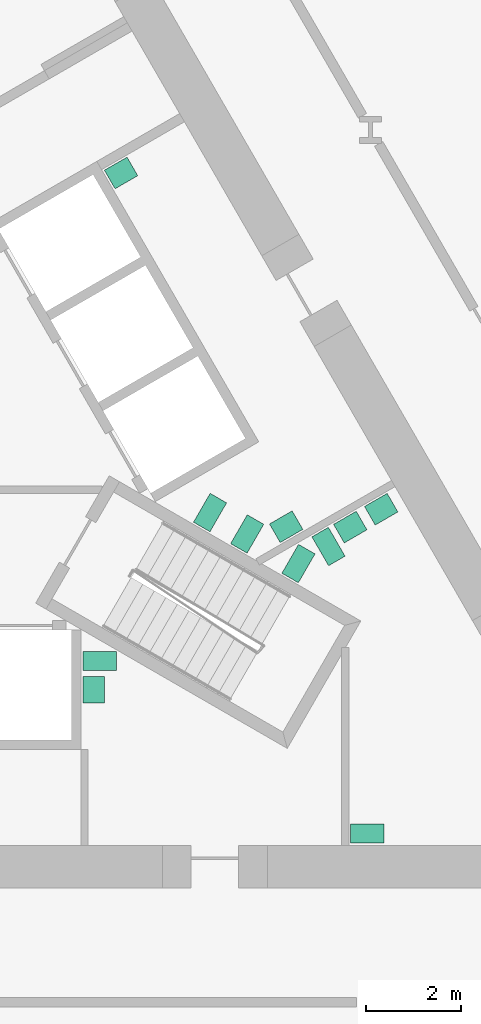
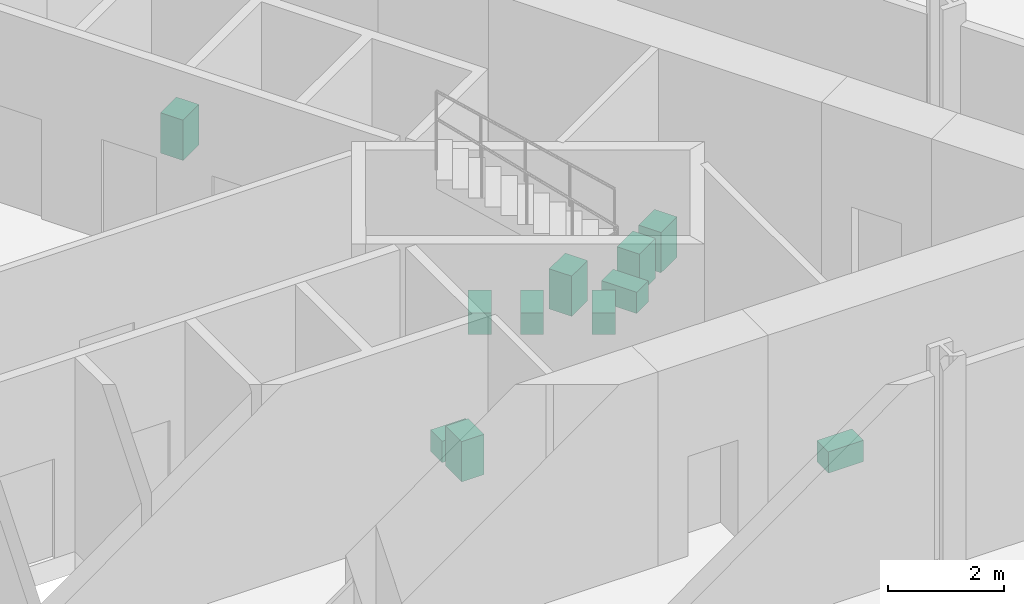
# One storey, part 7 of 8: 11 sanitary terminals.
"""IFC4 building model written with IfcOpenShell, lengths in metres."""

import ifcopenshell
import ifcopenshell.guid

model = None  # the IFC model being written
_history = None  # IfcOwnerHistory: only IFC2X3 demands one
_inside = {}  # id of a spatial element -> (the spatial element, [elements in it])
_under = {}  # id of a project, library or spatial element -> (it, [spatial elements below it])
_declared = {}  # id of a project -> (the project, [libraries it declares])
_typed = {}  # id of a type object -> (the type object, [elements of that type])
_made_of = {}  # id of a material, layer set ... -> (it, [elements and type objects made of it])


def new_model(schema):
    """Start an empty IFC model of exactly this schema.

    Asked for "IFC4X3", IfcOpenShell would pick the latest addendum, in which some entities
    have other attributes; the version numbers below select the first issue.
    IFC2X3 requires an IfcOwnerHistory on every rooted entity: one is made here for all.
    """
    global model, _history
    if schema == "IFC4X3":
        model = ifcopenshell.file(schema_version=(4, 3, 0, 0))
    else:
        model = ifcopenshell.file(schema=schema)
    _inside.clear()
    _under.clear()
    _declared.clear()
    _typed.clear()
    _made_of.clear()
    _history = None
    if model.schema == "IFC2X3":
        org = make("IfcOrganization", Name="unknown")
        user = make(
            "IfcPersonAndOrganization",
            ThePerson=make("IfcPerson", FamilyName="unknown"),
            TheOrganization=org,
        )
        app = make(
            "IfcApplication",
            ApplicationDeveloper=org,
            Version="unknown",
            ApplicationFullName="unknown",
            ApplicationIdentifier="unknown",
        )
        _history = make(
            "IfcOwnerHistory",
            OwningUser=user,
            OwningApplication=app,
            ChangeAction="ADDED",
            CreationDate=0,
        )
    return model


def make(cls, **values):
    """One entity of the class cls with the attributes given. An attribute that is None is left unset."""
    return model.create_entity(
        cls, **{name: value for name, value in values.items() if value is not None}
    )


def rooted(cls, **values):
    """An entity with a GlobalId (a new one), such as an element, a storey or a relation."""
    return make(cls, GlobalId=ifcopenshell.guid.new(), OwnerHistory=_history, **values)


def si_unit(unit_type, name, prefix=None):
    """IfcSIUnit, for example si_unit("LENGTHUNIT", "METRE", prefix="MILLI")."""
    return make("IfcSIUnit", UnitType=unit_type, Prefix=prefix, Name=name)


def assignment(units):
    """IfcUnitAssignment: the units of a project."""
    return None if units is None else make("IfcUnitAssignment", Units=units)


def point(xyz):
    """IfcCartesianPoint."""
    return None if xyz is None else make("IfcCartesianPoint", Coordinates=xyz)


def direction(xyz):
    """IfcDirection."""
    return None if xyz is None else make("IfcDirection", DirectionRatios=xyz)


def frame(location, z_axis=None, x_axis=None):
    """IfcAxis2Placement3D, a coordinate frame: its origin and axes. An axis left out is left unset."""
    return make(
        "IfcAxis2Placement3D",
        Location=point(location),
        Axis=direction(z_axis),
        RefDirection=direction(x_axis),
    )


def frame_2d(location, x_axis=None):
    """IfcAxis2Placement2D, a coordinate frame in the plane: its origin and x axis."""
    return make(
        "IfcAxis2Placement2D", Location=point(location), RefDirection=direction(x_axis)
    )


def origin():
    """The frame at (0, 0, 0) with its axes left unset."""
    return frame((0.0, 0.0, 0.0))


def origin_2d():
    """The frame at (0, 0) in the plane with its x axis left unset."""
    return frame_2d((0.0, 0.0))


def place(relative_to, where):
    """IfcLocalPlacement: puts the frame where relative to a parent placement (None: the world)."""
    return make(
        "IfcLocalPlacement", PlacementRelTo=relative_to, RelativePlacement=where
    )


def context(
    kind, dimensions, precision=None, world=None, true_north=None, identifier=None
):
    """IfcGeometricRepresentationContext, for example the 3D "Model" context."""
    return make(
        "IfcGeometricRepresentationContext",
        ContextIdentifier=identifier,
        ContextType=kind,
        CoordinateSpaceDimension=dimensions,
        Precision=precision,
        WorldCoordinateSystem=world,
        TrueNorth=true_north,
    )


def subcontext(parent, identifier, kind, view, scale=None):
    """IfcGeometricRepresentationSubContext, for example "Body" below "Model"."""
    return make(
        "IfcGeometricRepresentationSubContext",
        ContextIdentifier=identifier,
        ContextType=kind,
        ParentContext=parent,
        TargetScale=scale,
        TargetView=view,
    )


def project(units=None, contexts=None):
    """IfcProject with its units and contexts."""
    return rooted(
        "IfcProject",
        Name="project",
        RepresentationContexts=contexts,
        UnitsInContext=assignment(units),
    )


def spatial(cls, under=None, at=None, **own):
    """A site, building, storey or space (cls), placed at a placement, below another one or the project."""
    s = rooted(cls, ObjectPlacement=at, **own)
    if under is not None:
        _under.setdefault(under.id(), (under, []))[1].append(s)
    return s


def profile(cls, at=None, kind="AREA", **sizes):
    """A parametric profile (cls). Its sizes go by their IFC names, for example OverallWidth=200.0."""
    return make(cls, ProfileType=kind, Position=at, **sizes)


def rectangle(**sizes):
    """IfcRectangleProfileDef."""
    return profile("IfcRectangleProfileDef", **sizes)


def extrude(swept, where, along, depth):
    """IfcExtrudedAreaSolid: the profile swept, set in the frame where, extruded along a direction by depth."""
    return make(
        "IfcExtrudedAreaSolid",
        SweptArea=swept,
        Position=where,
        ExtrudedDirection=direction(along),
        Depth=depth,
    )


def shape(context_of_items, identifier, shape_type, items):
    """IfcShapeRepresentation: the items that make up one representation, for example the "Body"."""
    return make(
        "IfcShapeRepresentation",
        ContextOfItems=context_of_items,
        RepresentationIdentifier=identifier,
        RepresentationType=shape_type,
        Items=items,
    )


def material(Name=None, Category=None):
    """IfcMaterial."""
    return make("IfcMaterial", Name=Name, Category=Category)


def made_of(thing, what):
    """Note that an element or type object is made of a material, layer set ...; save() writes the relation."""
    if what is not None:
        _made_of.setdefault(what.id(), (what, []))[1].append(thing)
    return thing


def type_object(cls, material=None, **own):
    """A type object (cls), such as IfcWallType, which elements share."""
    return made_of(rooted(cls, **own), material)


def element(
    cls,
    number,
    at=None,
    inside=None,
    cuts=None,
    type_object=None,
    material=None,
    context=None,
    identifier="Body",
    shape_type=None,
    held_by="IfcProductDefinitionShape",
    body=None,
    shapes=None,
    **own,
):
    """One element of the class cls, such as IfcWall. Its Tag is "e" and its number.

    at: its placement. inside: the storey or other place that contains it. cuts: it is an
    opening in that element (IfcRelVoidsElement). A single representation is given by context,
    identifier, shape_type and body (its items); several are given by shapes. held_by: the class
    of the entity that holds the representations. save() writes the other relations.
    """
    e = rooted(cls, Tag="e%d" % number, ObjectPlacement=at, **own)
    if body is not None:
        shapes = [shape(context, identifier, shape_type, body)]
    if shapes is not None:
        e.Representation = make(held_by, Representations=shapes)
    if inside is not None:
        _inside.setdefault(inside.id(), (inside, []))[1].append(e)
    if cuts is not None:
        rooted(
            "IfcRelVoidsElement", RelatingBuildingElement=cuts, RelatedOpeningElement=e
        )
    if type_object is not None:
        _typed.setdefault(type_object.id(), (type_object, []))[1].append(e)
    return made_of(e, material)


def aggregate(whole, parts):
    """IfcRelAggregates: a whole, such as a stair, and the parts it consists of."""
    return rooted("IfcRelAggregates", RelatingObject=whole, RelatedObjects=parts)


def save(model, path):
    """Write the relations noted so far, then the file.

    IfcRelAggregates (storeys below a building ...), IfcRelContainedInSpatialStructure (elements
    in a storey), IfcRelDefinesByType, IfcRelAssociatesMaterial and IfcRelDeclares: one each for
    every whole, place, type object, material and project.
    """
    for whole, parts in _under.values():
        aggregate(whole, parts)
    for where, things in _inside.values():
        rooted(
            "IfcRelContainedInSpatialStructure",
            RelatedElements=things,
            RelatingStructure=where,
        )
    for kind, things in _typed.values():
        rooted("IfcRelDefinesByType", RelatedObjects=things, RelatingType=kind)
    for what, things in _made_of.values():
        rooted("IfcRelAssociatesMaterial", RelatedObjects=things, RelatingMaterial=what)
    for by, libraries in _declared.values():
        rooted("IfcRelDeclares", RelatingContext=by, RelatedDefinitions=libraries)
    model.write(path)


model = new_model("IFC4")

# Units and contexts
model_context = context("Model", 3, precision=1e-05, world=origin(), true_north=direction((0.0, 1.0)))
body_context = subcontext(model_context, "Body", "Model", "MODEL_VIEW")
ifc_project = project(units=[si_unit("LENGTHUNIT", "METRE"), si_unit("AREAUNIT", "SQUARE_METRE"), si_unit("VOLUMEUNIT", "CUBIC_METRE"), si_unit("PLANEANGLEUNIT", "RADIAN"), si_unit("MASSUNIT", "GRAM", prefix="KILO")], contexts=[model_context])

# Site, building, storey
site_placement = place(None, origin())
site = spatial("IfcSite", under=ifc_project, at=site_placement, CompositionType="ELEMENT")
building_placement = place(site_placement, origin())
building = spatial("IfcBuilding", under=site, at=building_placement, Name="Cormorant Prow Tower", CompositionType="ELEMENT")
storey_placement = place(building_placement, frame((0.0, 0.0, 25.5)))
storey = spatial("IfcBuildingStorey", under=building, at=storey_placement, Name="L04", CompositionType="ELEMENT", Elevation=25.5)

# Sanitary terminals
ifc_material_1 = material(Name="Vitreous china")
sanitary_terminal_type_1 = type_object("IfcSanitaryTerminalType", Name="Wash basin 550x450", PredefinedType="WASHHANDBASIN", material=ifc_material_1)
for number, where, z_axis, x_axis, name in (
    (1, (10.152099609375, -2.23388671875, 0.0), (0.0, 0.0, 1.0), (-0.866025403784, -0.5, 0.0), "Wash basin"),
    (2, (10.801513671875, -1.85888671875, 0.0), (0.0, 0.0, 1.0), (-0.866025403784, -0.5, 0.0), "Wash basin"),
    (3, (8.806396484375, -2.2255859375, 0.0), (0.0, 0.0, 1.0), (0.866025403784, 0.5, 0.0), "Wash basin"),
    (4, (5.339599609375, 5.20166015625, 0.0), (0.0, 0.0, 1.0), (-0.866042856549, -0.499969769706, 0.0), "Wash basin"),
    (5, (4.764892578125, -5.650146484375, 0.0), (0.0, 0.0, 1.0), (0.0, -1.0, 0.0), "Wash basin"),
):
    element("IfcSanitaryTerminal", number, at=place(storey_placement, frame(where, z_axis=z_axis, x_axis=x_axis)), inside=storey, type_object=sanitary_terminal_type_1, Name=name, PredefinedType="WASHHANDBASIN", context=body_context, shape_type="SweptSolid", body=[
        extrude(rectangle(XDim=0.550048828125, YDim=0.449951171875, at=origin_2d()), origin(), (0.0, 0.0, 1.0), 0.85009765625),
    ])
ifc_material_2 = material(Name="Vitreous china")
sanitary_terminal_type_2 = type_object("IfcSanitaryTerminalType", Name="Water closet 400x700", PredefinedType="WCSEAT", material=ifc_material_2)
for number, where, z_axis, x_axis, name in (
    (6, (9.064208984375, -3.0, 0.0), (0.0, 0.0, 1.0), (0.866034130299, -0.499984884929, 0.0), "Water closet"),
    (7, (10.510498046875, -8.664306640625, 0.0), (0.0, 0.0, 1.0), (0.0, -1.0, 0.0), "Water closet"),
    (8, (9.69482421875, -2.64208984375, 0.0), (0.0, 0.0, 1.0), (-0.866025403784, -0.5, 0.0), "Water closet"),
    (9, (7.98779296875, -2.378662109375, 0.0), (0.0, 0.0, 1.0), (0.866007949964, -0.500030229685, 0.0), "Water closet"),
    (10, (7.208251953125, -1.928466796875, 0.0), (0.0, 0.0, 1.0), (0.866007949964, -0.500030229685, 0.0), "Water closet"),
    (11, (4.889892578125, -5.05029296875, 0.0), (0.0, 0.0, 1.0), (0.0, -1.0, 0.0), "Water closet"),
):
    element("IfcSanitaryTerminal", number, at=place(storey_placement, frame(where, z_axis=z_axis, x_axis=x_axis)), inside=storey, type_object=sanitary_terminal_type_2, Name=name, PredefinedType="WCSEAT", context=body_context, shape_type="SweptSolid", body=[
        extrude(rectangle(XDim=0.39990234375, YDim=0.699951171875, at=origin_2d()), origin(), (0.0, 0.0, 1.0), 0.449951171875),
    ])

save(model, "model.ifc")
